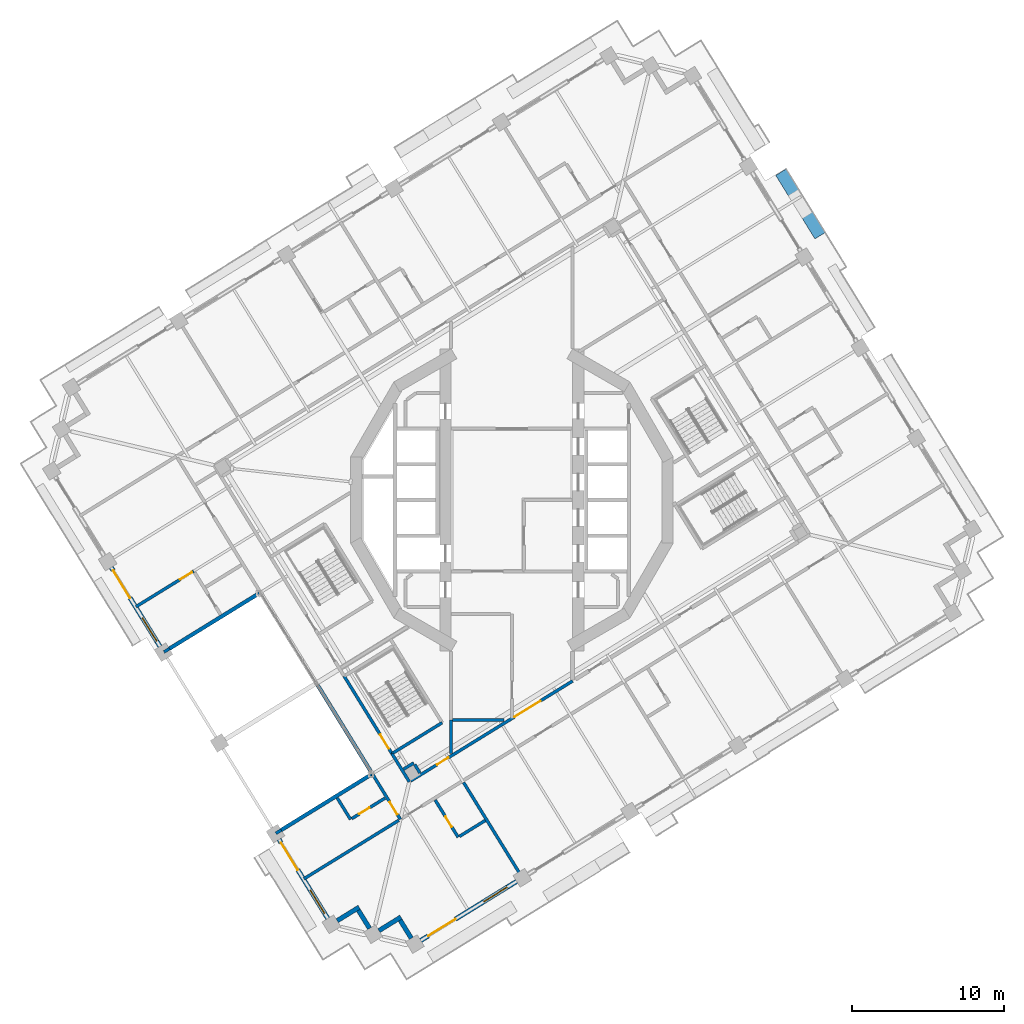
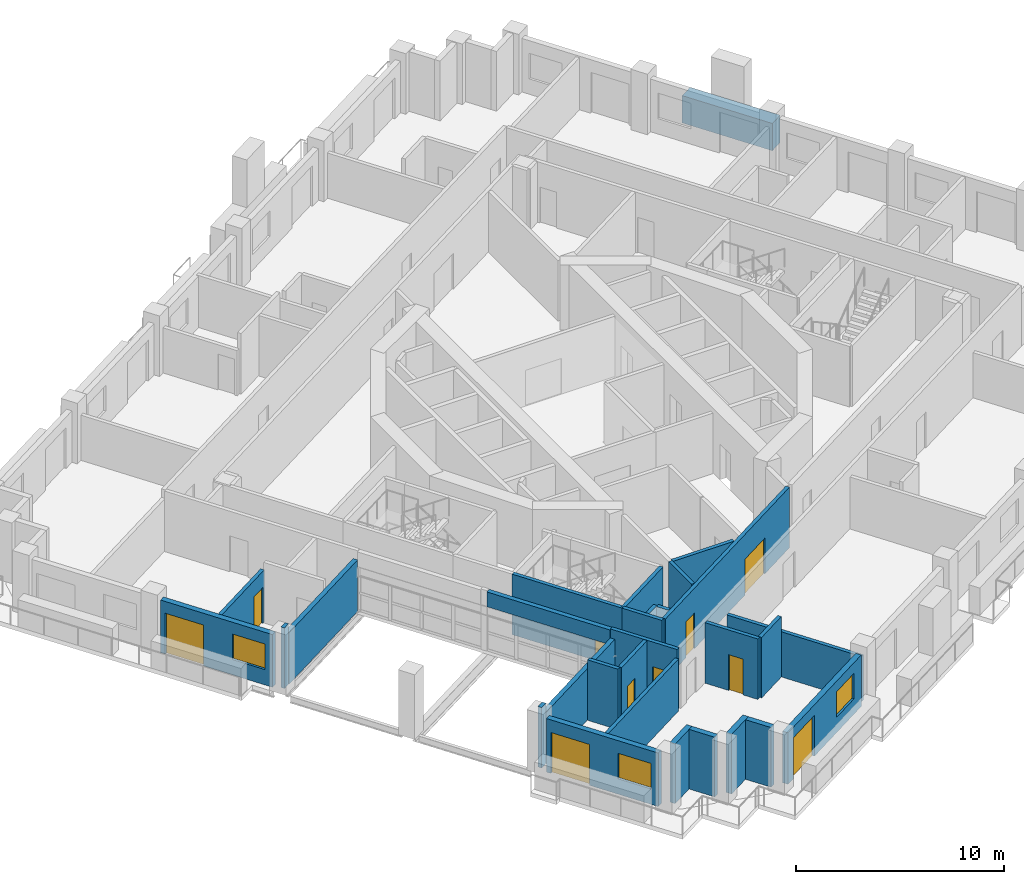
# One storey, part 7 of 22: 28 walls, 10 doors, 3 windows, 1 plate, 13 openings.
"""IFC4 building model written with IfcOpenShell, lengths in metres."""

import ifcopenshell
import ifcopenshell.guid

model = None  # the IFC model being written
_history = None  # IfcOwnerHistory: only IFC2X3 demands one
_inside = {}  # id of a spatial element -> (the spatial element, [elements in it])
_under = {}  # id of a project, library or spatial element -> (it, [spatial elements below it])
_declared = {}  # id of a project -> (the project, [libraries it declares])
_typed = {}  # id of a type object -> (the type object, [elements of that type])
_made_of = {}  # id of a material, layer set ... -> (it, [elements and type objects made of it])


def new_model(schema):
    """Start an empty IFC model of exactly this schema.

    Asked for "IFC4X3", IfcOpenShell would pick the latest addendum, in which some entities
    have other attributes; the version numbers below select the first issue.
    IFC2X3 requires an IfcOwnerHistory on every rooted entity: one is made here for all.
    """
    global model, _history
    if schema == "IFC4X3":
        model = ifcopenshell.file(schema_version=(4, 3, 0, 0))
    else:
        model = ifcopenshell.file(schema=schema)
    _inside.clear()
    _under.clear()
    _declared.clear()
    _typed.clear()
    _made_of.clear()
    _history = None
    if model.schema == "IFC2X3":
        org = make("IfcOrganization", Name="unknown")
        user = make(
            "IfcPersonAndOrganization",
            ThePerson=make("IfcPerson", FamilyName="unknown"),
            TheOrganization=org,
        )
        app = make(
            "IfcApplication",
            ApplicationDeveloper=org,
            Version="unknown",
            ApplicationFullName="unknown",
            ApplicationIdentifier="unknown",
        )
        _history = make(
            "IfcOwnerHistory",
            OwningUser=user,
            OwningApplication=app,
            ChangeAction="ADDED",
            CreationDate=0,
        )
    return model


def make(cls, **values):
    """One entity of the class cls with the attributes given. An attribute that is None is left unset."""
    return model.create_entity(
        cls, **{name: value for name, value in values.items() if value is not None}
    )


def rooted(cls, **values):
    """An entity with a GlobalId (a new one), such as an element, a storey or a relation."""
    return make(cls, GlobalId=ifcopenshell.guid.new(), OwnerHistory=_history, **values)


def si_unit(unit_type, name, prefix=None):
    """IfcSIUnit, for example si_unit("LENGTHUNIT", "METRE", prefix="MILLI")."""
    return make("IfcSIUnit", UnitType=unit_type, Prefix=prefix, Name=name)


def assignment(units):
    """IfcUnitAssignment: the units of a project."""
    return None if units is None else make("IfcUnitAssignment", Units=units)


def point(xyz):
    """IfcCartesianPoint."""
    return None if xyz is None else make("IfcCartesianPoint", Coordinates=xyz)


def direction(xyz):
    """IfcDirection."""
    return None if xyz is None else make("IfcDirection", DirectionRatios=xyz)


def frame(location, z_axis=None, x_axis=None):
    """IfcAxis2Placement3D, a coordinate frame: its origin and axes. An axis left out is left unset."""
    return make(
        "IfcAxis2Placement3D",
        Location=point(location),
        Axis=direction(z_axis),
        RefDirection=direction(x_axis),
    )


def frame_2d(location, x_axis=None):
    """IfcAxis2Placement2D, a coordinate frame in the plane: its origin and x axis."""
    return make(
        "IfcAxis2Placement2D", Location=point(location), RefDirection=direction(x_axis)
    )


def origin():
    """The frame at (0, 0, 0) with its axes left unset."""
    return frame((0.0, 0.0, 0.0))


def origin_2d():
    """The frame at (0, 0) in the plane with its x axis left unset."""
    return frame_2d((0.0, 0.0))


def place(relative_to, where):
    """IfcLocalPlacement: puts the frame where relative to a parent placement (None: the world)."""
    return make(
        "IfcLocalPlacement", PlacementRelTo=relative_to, RelativePlacement=where
    )


def context(
    kind, dimensions, precision=None, world=None, true_north=None, identifier=None
):
    """IfcGeometricRepresentationContext, for example the 3D "Model" context."""
    return make(
        "IfcGeometricRepresentationContext",
        ContextIdentifier=identifier,
        ContextType=kind,
        CoordinateSpaceDimension=dimensions,
        Precision=precision,
        WorldCoordinateSystem=world,
        TrueNorth=true_north,
    )


def subcontext(parent, identifier, kind, view, scale=None):
    """IfcGeometricRepresentationSubContext, for example "Body" below "Model"."""
    return make(
        "IfcGeometricRepresentationSubContext",
        ContextIdentifier=identifier,
        ContextType=kind,
        ParentContext=parent,
        TargetScale=scale,
        TargetView=view,
    )


def project(units=None, contexts=None):
    """IfcProject with its units and contexts."""
    return rooted(
        "IfcProject",
        Name="project",
        RepresentationContexts=contexts,
        UnitsInContext=assignment(units),
    )


def spatial(cls, under=None, at=None, **own):
    """A site, building, storey or space (cls), placed at a placement, below another one or the project."""
    s = rooted(cls, ObjectPlacement=at, **own)
    if under is not None:
        _under.setdefault(under.id(), (under, []))[1].append(s)
    return s


def profile(cls, at=None, kind="AREA", **sizes):
    """A parametric profile (cls). Its sizes go by their IFC names, for example OverallWidth=200.0."""
    return make(cls, ProfileType=kind, Position=at, **sizes)


def rectangle(**sizes):
    """IfcRectangleProfileDef."""
    return profile("IfcRectangleProfileDef", **sizes)


def extrude(swept, where, along, depth):
    """IfcExtrudedAreaSolid: the profile swept, set in the frame where, extruded along a direction by depth."""
    return make(
        "IfcExtrudedAreaSolid",
        SweptArea=swept,
        Position=where,
        ExtrudedDirection=direction(along),
        Depth=depth,
    )


def shape(context_of_items, identifier, shape_type, items):
    """IfcShapeRepresentation: the items that make up one representation, for example the "Body"."""
    return make(
        "IfcShapeRepresentation",
        ContextOfItems=context_of_items,
        RepresentationIdentifier=identifier,
        RepresentationType=shape_type,
        Items=items,
    )


def material(Name=None, Category=None):
    """IfcMaterial."""
    return make("IfcMaterial", Name=Name, Category=Category)


def layer(
    of_material, thickness, ventilated=None, Name=None, Category=None, Priority=None
):
    """IfcMaterialLayer: one layer of a wall or slab, of a material (None: an air gap)."""
    return make(
        "IfcMaterialLayer",
        Material=of_material,
        LayerThickness=thickness,
        IsVentilated=ventilated,
        Name=Name,
        Category=Category,
        Priority=Priority,
    )


def layer_set(layers, Name=None):
    """IfcMaterialLayerSet."""
    return make("IfcMaterialLayerSet", MaterialLayers=layers, LayerSetName=Name)


def made_of(thing, what):
    """Note that an element or type object is made of a material, layer set ...; save() writes the relation."""
    if what is not None:
        _made_of.setdefault(what.id(), (what, []))[1].append(thing)
    return thing


def type_object(cls, material=None, **own):
    """A type object (cls), such as IfcWallType, which elements share."""
    return made_of(rooted(cls, **own), material)


def element(
    cls,
    number,
    at=None,
    inside=None,
    cuts=None,
    type_object=None,
    material=None,
    context=None,
    identifier="Body",
    shape_type=None,
    held_by="IfcProductDefinitionShape",
    body=None,
    shapes=None,
    **own,
):
    """One element of the class cls, such as IfcWall. Its Tag is "e" and its number.

    at: its placement. inside: the storey or other place that contains it. cuts: it is an
    opening in that element (IfcRelVoidsElement). A single representation is given by context,
    identifier, shape_type and body (its items); several are given by shapes. held_by: the class
    of the entity that holds the representations. save() writes the other relations.
    """
    e = rooted(cls, Tag="e%d" % number, ObjectPlacement=at, **own)
    if body is not None:
        shapes = [shape(context, identifier, shape_type, body)]
    if shapes is not None:
        e.Representation = make(held_by, Representations=shapes)
    if inside is not None:
        _inside.setdefault(inside.id(), (inside, []))[1].append(e)
    if cuts is not None:
        rooted(
            "IfcRelVoidsElement", RelatingBuildingElement=cuts, RelatedOpeningElement=e
        )
    if type_object is not None:
        _typed.setdefault(type_object.id(), (type_object, []))[1].append(e)
    return made_of(e, material)


def fill(opening, filler):
    """IfcRelFillsElement: the door or window that sits in an opening."""
    return rooted(
        "IfcRelFillsElement",
        RelatingOpeningElement=opening,
        RelatedBuildingElement=filler,
    )


def aggregate(whole, parts):
    """IfcRelAggregates: a whole, such as a stair, and the parts it consists of."""
    return rooted("IfcRelAggregates", RelatingObject=whole, RelatedObjects=parts)


def save(model, path):
    """Write the relations noted so far, then the file.

    IfcRelAggregates (storeys below a building ...), IfcRelContainedInSpatialStructure (elements
    in a storey), IfcRelDefinesByType, IfcRelAssociatesMaterial and IfcRelDeclares: one each for
    every whole, place, type object, material and project.
    """
    for whole, parts in _under.values():
        aggregate(whole, parts)
    for where, things in _inside.values():
        rooted(
            "IfcRelContainedInSpatialStructure",
            RelatedElements=things,
            RelatingStructure=where,
        )
    for kind, things in _typed.values():
        rooted("IfcRelDefinesByType", RelatedObjects=things, RelatingType=kind)
    for what, things in _made_of.values():
        rooted("IfcRelAssociatesMaterial", RelatedObjects=things, RelatingMaterial=what)
    for by, libraries in _declared.values():
        rooted("IfcRelDeclares", RelatingContext=by, RelatedDefinitions=libraries)
    model.write(path)


model = new_model("IFC4")

# Units and contexts
model_context = context("Model", 3, precision=1e-05, world=origin(), true_north=direction((0.0, 1.0)))
body_context = subcontext(model_context, "Body", "Model", "MODEL_VIEW")
ifc_project = project(units=[si_unit("LENGTHUNIT", "METRE"), si_unit("AREAUNIT", "SQUARE_METRE"), si_unit("VOLUMEUNIT", "CUBIC_METRE"), si_unit("PLANEANGLEUNIT", "RADIAN"), si_unit("MASSUNIT", "GRAM", prefix="KILO")], contexts=[model_context])

# Site, building, storey
site_placement = place(None, origin())
site = spatial("IfcSite", under=ifc_project, at=site_placement, CompositionType="ELEMENT")
building_placement = place(site_placement, origin())
building = spatial("IfcBuilding", under=site, at=building_placement, Name="Cantera Rosa Tower", CompositionType="ELEMENT")
storey_placement = place(building_placement, frame((0.0, 0.0, 162.800048828125)))
storey = spatial("IfcBuildingStorey", under=building, at=storey_placement, Name="L35", CompositionType="ELEMENT", Elevation=162.800048828125)

# Plate
ifc_material_1 = material(Name="Cantera stone planter with soil", Category="masonry")
plate_type = type_object("IfcPlateType", Name="PLANTER 800", PredefinedType="USERDEFINED", material=ifc_material_1)
plate_placement = place(storey_placement, frame((19.012451171875, 19.505126953125, 0.0), z_axis=(0.0, 0.0, 1.0), x_axis=(-0.52497658034, 0.851116672434, 0.0)))
element("IfcPlate", 1, at=plate_placement, inside=storey, type_object=plate_type, Name="PLANTER L35-04", ObjectType="PLANTER", PredefinedType="USERDEFINED", context=body_context, shape_type="SweptSolid", body=[
    extrude(rectangle(XDim=4.919921875, YDim=0.800048828125, at=origin_2d()), origin(), (0.0, 0.0, 1.0), 1.60009765625),
])

# Wall, opening, door
ifc_material_2 = material(Name="Gypsum board partition")
ifc_layer_1 = layer(ifc_material_2, 0.199951171875)
ifc_layer_set_1 = layer_set([ifc_layer_1], Name="CORRIDOR WALL 200 H3550")
wall_type_1 = type_object("IfcWallType", Name="CORRIDOR WALL 200 H3550", PredefinedType="PARTITIONING", material=ifc_layer_set_1)
wall_1_placement = place(storey_placement, frame((-9.261962890625, -17.93798828125, 0.0), z_axis=(0.0, 0.0, 1.0), x_axis=(0.52498656073, -0.851110516356, 0.0)))
wall_1 = element("IfcWall", 2, at=wall_1_placement, inside=storey, type_object=wall_type_1, Name="CORRIDOR WALL L35-005", PredefinedType="PARTITIONING", context=body_context, shape_type="SweptSolid", body=[
    extrude(rectangle(XDim=3.64501953125, YDim=0.199951171875, at=frame_2d((1.822509765625, 0.0))), origin(), (0.0, 0.0, 1.0), 3.550048828125),
])
opening_1_placement = place(wall_1_placement, frame((2.31005859375, 0.0, 0.0)))
opening_1 = element("IfcOpeningElement", 3, at=opening_1_placement, cuts=wall_1, Name="Opening L35-039", PredefinedType="OPENING", context=body_context, shape_type="SweptSolid", body=[
    extrude(rectangle(XDim=0.949951171875, YDim=2.10009765625, at=frame_2d((0.47509765625, 1.050048828125))), frame((0.0, 0.10986328125, 0.0), z_axis=(0.0, -1.0, 0.0), x_axis=(1.0, 0.0, 0.0)), (0.0, 0.0, 1.0), 0.219970703125),
])
ifc_material_3 = material(Name="Timber door leaf", Category="wood")
door_type_1 = type_object("IfcDoorType", Name="ROOM DOOR 950x2100", OperationType="NOTDEFINED", PredefinedType="DOOR", material=ifc_material_3)
door_1_placement = place(opening_1_placement, origin())
door_1 = element("IfcDoor", 4, at=door_1_placement, inside=storey, type_object=door_type_1, Name="DOOR L35-039", OperationType="NOTDEFINED", OverallHeight=2.10009765625, OverallWidth=0.949951171875, PredefinedType="DOOR", context=body_context, shape_type="SweptSolid", body=[
    extrude(rectangle(XDim=0.949951171875, YDim=2.10009765625, at=frame_2d((0.47509765625, 1.050048828125))), frame((0.0, 0.02490234375, 0.0), z_axis=(0.0, -1.0, 0.0), x_axis=(1.0, 0.0, 0.0)), (0.0, 0.0, 1.0), 0.050048828125),
])
fill(opening_1, door_1)

# Wall
wall_2_placement = place(storey_placement, frame((-7.9033203125, -16.7119140625, 0.0), z_axis=(0.0, 0.0, 1.0), x_axis=(0.525036414636, -0.851079763187, 0.0)))
element("IfcWall", 5, at=wall_2_placement, inside=storey, type_object=wall_type_1, Name="CORRIDOR WALL L35-031", PredefinedType="PARTITIONING", context=body_context, shape_type="SweptSolid", body=[
    extrude(rectangle(XDim=2.17529296875, YDim=0.199951171875, at=frame_2d((1.087646484375, 0.0))), origin(), (0.0, 0.0, 1.0), 3.550048828125),
])

# Wall, openings, doors
wall_3_placement = place(storey_placement, frame((-6.67626953125, -18.5107421875, 0.0), z_axis=(0.0, 0.0, 1.0), x_axis=(0.851117243115, 0.524975655123, 0.0)))
wall_3 = element("IfcWall", 6, at=wall_3_placement, inside=storey, type_object=wall_type_1, Name="CORRIDOR WALL L35-047", PredefinedType="PARTITIONING", context=body_context, shape_type="SweptSolid", body=[
    extrude(rectangle(XDim=12.5439453125, YDim=0.199951171875, at=frame_2d((6.27197265625, 0.0))), origin(), (0.0, 0.0, 1.0), 3.550048828125),
])
opening_2_placement = place(wall_3_placement, frame((2.03515625, 0.0, 0.0)))
opening_2 = element("IfcOpeningElement", 7, at=opening_2_placement, cuts=wall_3, Name="Opening L35-009", PredefinedType="OPENING", context=body_context, shape_type="SweptSolid", body=[
    extrude(rectangle(XDim=0.89990234375, YDim=2.10009765625, at=frame_2d((0.449951171875, 1.050048828125))), frame((0.0, 0.10986328125, 0.0), z_axis=(0.0, -1.0, 0.0), x_axis=(1.0, 0.0, 0.0)), (0.0, 0.0, 1.0), 0.219970703125),
])
opening_3_placement = place(wall_3_placement, frame((8.044189453125, 0.0, 0.0)))
opening_3 = element("IfcOpeningElement", 8, at=opening_3_placement, cuts=wall_3, Name="Opening L35-013", PredefinedType="OPENING", context=body_context, shape_type="SweptSolid", body=[
    extrude(rectangle(XDim=2.0, YDim=2.10009765625, at=frame_2d((1.0, 1.050048828125))), frame((0.0, 0.10986328125, 0.0), z_axis=(0.0, -1.0, 0.0), x_axis=(1.0, 0.0, 0.0)), (0.0, 0.0, 1.0), 0.219970703125),
])
ifc_material_4 = material(Name="Steel S355J2 (EN 10025-2)", Category="steel")
door_type_2 = type_object("IfcDoorType", Name="LOBBY SCREEN DOOR 2000x2100", OperationType="NOTDEFINED", PredefinedType="DOOR", material=ifc_material_4)
door_2_placement = place(opening_3_placement, origin())
door_2 = element("IfcDoor", 9, at=door_2_placement, inside=storey, type_object=door_type_2, Name="DOOR L35-013", OperationType="NOTDEFINED", OverallHeight=2.10009765625, OverallWidth=2.0, PredefinedType="DOOR", context=body_context, shape_type="SweptSolid", body=[
    extrude(rectangle(XDim=2.0, YDim=2.10009765625, at=frame_2d((1.0, 1.050048828125))), frame((0.0, 0.02490234375, 0.0), z_axis=(0.0, -1.0, 0.0), x_axis=(1.0, 0.0, 0.0)), (0.0, 0.0, 1.0), 0.050048828125),
])
fill(opening_3, door_2)
ifc_material_5 = material(Name="Timber door leaf", Category="wood")
door_type_3 = type_object("IfcDoorType", Name="SERVICE DOOR 900x2100", OperationType="NOTDEFINED", PredefinedType="DOOR", material=ifc_material_5)
door_3_placement = place(opening_2_placement, origin())
door_3 = element("IfcDoor", 10, at=door_3_placement, inside=storey, type_object=door_type_3, Name="DOOR L35-009", OperationType="NOTDEFINED", OverallHeight=2.10009765625, OverallWidth=0.89990234375, PredefinedType="DOOR", context=body_context, shape_type="SweptSolid", body=[
    extrude(rectangle(XDim=0.89990234375, YDim=2.10009765625, at=frame_2d((0.449951171875, 1.050048828125))), frame((0.0, 0.02490234375, 0.0), z_axis=(0.0, -1.0, 0.0), x_axis=(1.0, 0.0, 0.0)), (0.0, 0.0, 1.0), 0.050048828125),
])
fill(opening_2, door_3)

# Walls
wall_4_placement = place(storey_placement, frame((-4.0, -14.5, 0.0), z_axis=(0.0, 0.0, 1.0), x_axis=(0.0, -1.0, 0.0)))
element("IfcWall", 11, at=wall_4_placement, inside=storey, type_object=wall_type_1, Name="CORRIDOR WALL L35-056", PredefinedType="PARTITIONING", context=body_context, shape_type="SweptSolid", body=[
    extrude(rectangle(XDim=2.2001953125, YDim=0.199951171875, at=frame_2d((1.10009765625, 0.0))), origin(), (0.0, 0.0, 1.0), 3.550048828125),
])
wall_5_placement = place(storey_placement, frame((-3.89990234375, -14.5, 0.0), z_axis=(0.0, 0.0, 1.0), x_axis=(1.0, 0.0, 0.0)))
element("IfcWall", 12, at=wall_5_placement, inside=storey, type_object=wall_type_1, Name="CORRIDOR WALL L35-057", PredefinedType="PARTITIONING", context=body_context, shape_type="SweptSolid", body=[
    extrude(rectangle(XDim=3.38623046875, YDim=0.199951171875, at=frame_2d((1.693115234375, 0.0))), origin(), (0.0, 0.0, 1.0), 3.550048828125),
])
ifc_material_6 = material(Name="Hollow clay masonry with cantera stone cladding", Category="masonry")
ifc_layer_2 = layer(ifc_material_6, 0.300048828125)
ifc_layer_set_2 = layer_set([ifc_layer_2], Name="EW-LOGGIA 300")
wall_type_2 = type_object("IfcWallType", Name="EW-LOGGIA 300", PredefinedType="SOLIDWALL", material=ifc_layer_set_2)
wall_6_placement = place(storey_placement, frame((-11.51123046875, -27.72021484375, 0.0), z_axis=(0.0, 0.0, 1.0), x_axis=(0.851130227454, 0.524954603669, 0.0)))
element("IfcWall", 13, at=wall_6_placement, inside=storey, type_object=wall_type_2, Name="EN-L35-W20a", PredefinedType="SOLIDWALL", context=body_context, shape_type="SweptSolid", body=[
    extrude(rectangle(XDim=1.699951171875, YDim=0.300048828125, at=frame_2d((0.85009765625, 0.0))), origin(), (0.0, 0.0, 1.0), 3.5),
])
wall_7_placement = place(storey_placement, frame((-10.11328125, -27.0341796875, 0.0), z_axis=(0.0, 0.0, 1.0), x_axis=(0.524895019961, -0.85116697423, 0.0)))
element("IfcWall", 14, at=wall_7_placement, inside=storey, type_object=wall_type_2, Name="EN-L35-W20b", PredefinedType="SOLIDWALL", context=body_context, shape_type="SweptSolid", body=[
    extrude(rectangle(XDim=1.39990234375, YDim=0.300048828125, at=frame_2d((0.699951171875, 0.0))), origin(), (0.0, 0.0, 1.0), 3.5),
])
wall_8_placement = place(storey_placement, frame((-8.75927734375, -28.37255859375, 0.0), z_axis=(0.0, 0.0, 1.0), x_axis=(0.851105638601, 0.524994468487, 0.0)))
element("IfcWall", 15, at=wall_8_placement, inside=storey, type_object=wall_type_2, Name="EN-L35-W21a", PredefinedType="SOLIDWALL", context=body_context, shape_type="SweptSolid", body=[
    extrude(rectangle(XDim=1.7001953125, YDim=0.300048828125, at=frame_2d((0.85009765625, 0.0))), origin(), (0.0, 0.0, 1.0), 3.5),
])
wall_9_placement = place(storey_placement, frame((-7.361083984375, -27.6865234375, 0.0), z_axis=(0.0, 0.0, 1.0), x_axis=(0.524895019961, -0.85116697423, 0.0)))
element("IfcWall", 16, at=wall_9_placement, inside=storey, type_object=wall_type_2, Name="EN-L35-W21b", PredefinedType="SOLIDWALL", context=body_context, shape_type="SweptSolid", body=[
    extrude(rectangle(XDim=1.39990234375, YDim=0.300048828125, at=frame_2d((0.699951171875, 0.0))), origin(), (0.0, 0.0, 1.0), 3.5),
])

# Wall, openings, window, door
ifc_material_7 = material(Name="Hollow clay masonry with cantera stone cladding", Category="masonry")
ifc_layer_3 = layer(ifc_material_7, 0.300048828125)
ifc_layer_set_3 = layer_set([ifc_layer_3], Name="EW-LOGGIA 300 H3020")
wall_type_3 = type_object("IfcWallType", Name="EW-LOGGIA 300 H3020", PredefinedType="SOLIDWALL", material=ifc_layer_set_3)
wall_10_placement = place(storey_placement, frame((-6.007080078125, -29.02490234375, 0.0), z_axis=(0.0, 0.0, 1.0), x_axis=(0.851111085575, 0.524985637909, 0.0)))
wall_10 = element("IfcWall", 17, at=wall_10_placement, inside=storey, type_object=wall_type_3, Name="EN-L35-W22", PredefinedType="SOLIDWALL", context=body_context, shape_type="SweptSolid", body=[
    extrude(rectangle(XDim=7.420166015625, YDim=0.300048828125, at=frame_2d((3.7099609375, 0.0))), origin(), (0.0, 0.0, 1.0), 3.02001953125),
])
opening_4_placement = place(wall_10_placement, frame((0.580078125, 0.0, 0.0)))
opening_4 = element("IfcOpeningElement", 18, at=opening_4_placement, cuts=wall_10, Name="Opening L35-TD27", PredefinedType="OPENING", context=body_context, shape_type="SweptSolid", body=[
    extrude(rectangle(XDim=2.10009765625, YDim=2.39990234375, at=frame_2d((1.050048828125, 1.199951171875))), frame((0.0, 0.159912109375, 0.0), z_axis=(0.0, -1.0, 0.0), x_axis=(1.0, 0.0, 0.0)), (0.0, 0.0, 1.0), 0.320068359375),
])
opening_5_placement = place(wall_10_placement, frame((4.889892578125, 0.0, 0.89990234375)))
opening_5 = element("IfcOpeningElement", 19, at=opening_5_placement, cuts=wall_10, Name="Opening L35-W28", PredefinedType="OPENING", context=body_context, shape_type="SweptSolid", body=[
    extrude(rectangle(XDim=1.800048828125, YDim=1.5, at=frame_2d((0.89990234375, 0.75))), frame((0.0, 0.159912109375, 0.0), z_axis=(0.0, -1.0, 0.0), x_axis=(1.0, 0.0, 0.0)), (0.0, 0.0, 1.0), 0.320068359375),
])
ifc_material_8 = material(Name="Aluminium frame with clear glass", Category="aluminium")
window_type = type_object("IfcWindowType", Name="Hotel room window 1800x1500", PartitioningType="DOUBLE_PANEL_VERTICAL", PredefinedType="WINDOW", material=ifc_material_8)
window_1_placement = place(opening_5_placement, origin())
window_1 = element("IfcWindow", 20, at=window_1_placement, inside=storey, type_object=window_type, Name="WINDOW L35-W28", OverallHeight=1.5, OverallWidth=1.800048828125, PartitioningType="SINGLE_PANEL", PredefinedType="WINDOW", context=body_context, shape_type="SweptSolid", body=[
    extrude(rectangle(XDim=1.800048828125, YDim=1.5, at=frame_2d((0.89990234375, 0.75))), frame((0.0, 0.030029296875, 0.0), z_axis=(0.0, -1.0, 0.0), x_axis=(1.0, 0.0, 0.0)), (0.0, 0.0, 1.0), 0.06005859375),
])
fill(opening_5, window_1)
ifc_material_9 = material(Name="Aluminium frame with clear glass", Category="aluminium")
door_type_4 = type_object("IfcDoorType", Name="TD-H 2100x2400", OperationType="NOTDEFINED", PredefinedType="DOOR", material=ifc_material_9)
door_4_placement = place(opening_4_placement, origin())
door_4 = element("IfcDoor", 21, at=door_4_placement, inside=storey, type_object=door_type_4, Name="LOGGIA DOOR L35-TD27", OperationType="SLIDING_TO_LEFT", OverallHeight=2.39990234375, OverallWidth=2.10009765625, PredefinedType="DOOR", context=body_context, shape_type="SweptSolid", body=[
    extrude(rectangle(XDim=2.10009765625, YDim=2.39990234375, at=frame_2d((1.050048828125, 1.199951171875))), frame((0.0, 0.02490234375, 0.0), z_axis=(0.0, -1.0, 0.0), x_axis=(1.0, 0.0, 0.0)), (0.0, 0.0, 1.0), 0.050048828125),
])
fill(opening_4, door_4)

ifc_material_10 = material(Name="Hollow clay masonry with cantera stone cladding", Category="masonry")
ifc_layer_4 = layer(ifc_material_10, 0.300048828125)
ifc_layer_set_4 = layer_set([ifc_layer_4], Name="EW-LOGGIA 300 H3090")
wall_type_4 = type_object("IfcWallType", Name="EW-LOGGIA 300 H3090", PredefinedType="SOLIDWALL", material=ifc_layer_set_4)
wall_11_placement = place(storey_placement, frame((-26.3994140625, -4.440185546875, 0.0), z_axis=(0.0, 0.0, 1.0), x_axis=(0.524987447654, -0.851109969279, 0.0)))
wall_11 = element("IfcWall", 22, at=wall_11_placement, inside=storey, type_object=wall_type_4, Name="EN-L35-W16", PredefinedType="SOLIDWALL", context=body_context, shape_type="SweptSolid", body=[
    extrude(rectangle(XDim=6.119873046875, YDim=0.300048828125, at=frame_2d((3.06005859375, 0.0))), origin(), (0.0, 0.0, 1.0), 3.08984375),
])
opening_6_placement = place(wall_11_placement, frame((0.2548828125, 0.0, 0.0)))
opening_6 = element("IfcOpeningElement", 23, at=opening_6_placement, cuts=wall_11, Name="Opening L35-TD23", PredefinedType="OPENING", context=body_context, shape_type="SweptSolid", body=[
    extrude(rectangle(XDim=2.10009765625, YDim=2.39990234375, at=frame_2d((1.050048828125, 1.199951171875))), frame((0.0, 0.159912109375, 0.0), z_axis=(0.0, -1.0, 0.0), x_axis=(1.0, 0.0, 0.0)), (0.0, 0.0, 1.0), 0.320068359375),
])
opening_7_placement = place(wall_11_placement, frame((3.9150390625, 0.0, 0.89990234375)))
opening_7 = element("IfcOpeningElement", 24, at=opening_7_placement, cuts=wall_11, Name="Opening L35-W24", PredefinedType="OPENING", context=body_context, shape_type="SweptSolid", body=[
    extrude(rectangle(XDim=1.800048828125, YDim=1.5, at=frame_2d((0.89990234375, 0.75))), frame((0.0, 0.159912109375, 0.0), z_axis=(0.0, -1.0, 0.0), x_axis=(1.0, 0.0, 0.0)), (0.0, 0.0, 1.0), 0.320068359375),
])
window_2_placement = place(opening_7_placement, origin())
window_2 = element("IfcWindow", 25, at=window_2_placement, inside=storey, type_object=window_type, Name="WINDOW L35-W24", OverallHeight=1.5, OverallWidth=1.800048828125, PartitioningType="SINGLE_PANEL", PredefinedType="WINDOW", context=body_context, shape_type="SweptSolid", body=[
    extrude(rectangle(XDim=1.800048828125, YDim=1.5, at=frame_2d((0.89990234375, 0.75))), frame((0.0, 0.030029296875, 0.0), z_axis=(0.0, -1.0, 0.0), x_axis=(1.0, 0.0, 0.0)), (0.0, 0.0, 1.0), 0.06005859375),
])
fill(opening_7, window_2)
door_5_placement = place(opening_6_placement, origin())
door_5 = element("IfcDoor", 26, at=door_5_placement, inside=storey, type_object=door_type_4, Name="LOGGIA DOOR L35-TD23", OperationType="SLIDING_TO_LEFT", OverallHeight=2.39990234375, OverallWidth=2.10009765625, PredefinedType="DOOR", context=body_context, shape_type="SweptSolid", body=[
    extrude(rectangle(XDim=2.10009765625, YDim=2.39990234375, at=frame_2d((1.050048828125, 1.199951171875))), frame((0.0, 0.02490234375, 0.0), z_axis=(0.0, -1.0, 0.0), x_axis=(1.0, 0.0, 0.0)), (0.0, 0.0, 1.0), 0.050048828125),
])
fill(opening_6, door_5)

ifc_material_11 = material(Name="Hollow clay masonry with cantera stone cladding", Category="masonry")
ifc_layer_5 = layer(ifc_material_11, 0.300048828125)
ifc_layer_set_5 = layer_set([ifc_layer_5], Name="EW-LOGGIA 300 H3140")
wall_type_5 = type_object("IfcWallType", Name="EW-LOGGIA 300 H3140", PredefinedType="SOLIDWALL", material=ifc_layer_set_5)
wall_12_placement = place(storey_placement, frame((-15.343505859375, -22.36474609375, 0.0), z_axis=(0.0, 0.0, 1.0), x_axis=(0.524987447654, -0.851109969279, 0.0)))
wall_12 = element("IfcWall", 27, at=wall_12_placement, inside=storey, type_object=wall_type_5, Name="EN-L35-W19", PredefinedType="SOLIDWALL", context=body_context, shape_type="SweptSolid", body=[
    extrude(rectangle(XDim=6.119873046875, YDim=0.300048828125, at=frame_2d((3.06005859375, 0.0))), origin(), (0.0, 0.0, 1.0), 3.139892578125),
])
opening_8_placement = place(wall_12_placement, frame((0.2548828125, 0.0, 0.0)))
opening_8 = element("IfcOpeningElement", 28, at=opening_8_placement, cuts=wall_12, Name="Opening L35-TD25", PredefinedType="OPENING", context=body_context, shape_type="SweptSolid", body=[
    extrude(rectangle(XDim=2.10009765625, YDim=2.39990234375, at=frame_2d((1.050048828125, 1.199951171875))), frame((0.0, 0.159912109375, 0.0), z_axis=(0.0, -1.0, 0.0), x_axis=(1.0, 0.0, 0.0)), (0.0, 0.0, 1.0), 0.320068359375),
])
opening_9_placement = place(wall_12_placement, frame((3.9150390625, 0.0, 0.89990234375)))
opening_9 = element("IfcOpeningElement", 29, at=opening_9_placement, cuts=wall_12, Name="Opening L35-W26", PredefinedType="OPENING", context=body_context, shape_type="SweptSolid", body=[
    extrude(rectangle(XDim=1.800048828125, YDim=1.5, at=frame_2d((0.89990234375, 0.75))), frame((0.0, 0.159912109375, 0.0), z_axis=(0.0, -1.0, 0.0), x_axis=(1.0, 0.0, 0.0)), (0.0, 0.0, 1.0), 0.320068359375),
])
window_3_placement = place(opening_9_placement, origin())
window_3 = element("IfcWindow", 30, at=window_3_placement, inside=storey, type_object=window_type, Name="WINDOW L35-W26", OverallHeight=1.5, OverallWidth=1.800048828125, PartitioningType="SINGLE_PANEL", PredefinedType="WINDOW", context=body_context, shape_type="SweptSolid", body=[
    extrude(rectangle(XDim=1.800048828125, YDim=1.5, at=frame_2d((0.89990234375, 0.75))), frame((0.0, 0.030029296875, 0.0), z_axis=(0.0, -1.0, 0.0), x_axis=(1.0, 0.0, 0.0)), (0.0, 0.0, 1.0), 0.06005859375),
])
fill(opening_9, window_3)
door_6_placement = place(opening_8_placement, origin())
door_6 = element("IfcDoor", 31, at=door_6_placement, inside=storey, type_object=door_type_4, Name="LOGGIA DOOR L35-TD25", OperationType="SLIDING_TO_LEFT", OverallHeight=2.39990234375, OverallWidth=2.10009765625, PredefinedType="DOOR", context=body_context, shape_type="SweptSolid", body=[
    extrude(rectangle(XDim=2.10009765625, YDim=2.39990234375, at=frame_2d((1.050048828125, 1.199951171875))), frame((0.0, 0.02490234375, 0.0), z_axis=(0.0, -1.0, 0.0), x_axis=(1.0, 0.0, 0.0)), (0.0, 0.0, 1.0), 0.050048828125),
])
fill(opening_8, door_6)

# Walls
ifc_material_12 = material(Name="Concrete C40/50", Category="concrete")
ifc_layer_6 = layer(ifc_material_12, 0.25)
ifc_layer_set_6 = layer_set([ifc_layer_6], Name="EW-POCKET CHEEK 250 H3020")
wall_type_6 = type_object("IfcWallType", Name="EW-POCKET CHEEK 250 H3020", PredefinedType="SOLIDWALL", material=ifc_layer_set_6)
for number, where, z_axis, x_axis, name in (
    (32, (-22.5673828125, -9.795654296875, 0.0), (0.0, 0.0, 1.0), (0.851127184208, 0.524959537777, 0.0), "POCKET CHEEK A L35"),
    (33, (-15.19677734375, -21.745361328125, 0.0), (0.0, 0.0, 1.0), (0.851127184208, 0.524959537777, 0.0), "POCKET CHEEK B L35"),
):
    element("IfcWall", number, at=place(storey_placement, frame(where, z_axis=z_axis, x_axis=x_axis)), inside=storey, type_object=wall_type_6, Name=name, PredefinedType="SOLIDWALL", context=body_context, shape_type="SweptSolid", body=[
        extrude(rectangle(XDim=6.949951171875, YDim=0.25, at=frame_2d((3.47509765625, 0.0))), origin(), (0.0, 0.0, 1.0), 3.02001953125),
    ])
ifc_material_13 = material(Name="Hollow clay masonry with cantera stone cladding", Category="masonry")
ifc_layer_7 = layer(ifc_material_13, 0.25)
ifc_layer_set_7 = layer_set([ifc_layer_7], Name="EW-POCKET REAR 250")
wall_type_7 = type_object("IfcWallType", Name="EW-POCKET REAR 250", PredefinedType="SOLIDWALL", material=ifc_layer_set_7)
wall_13_placement = place(storey_placement, frame((-12.79443359375, -12.210693359375, 2.634033203125), z_axis=(0.0, 0.0, 1.0), x_axis=(0.52495748213, -0.851128452089, 0.0)))
element("IfcWall", 34, at=wall_13_placement, inside=storey, type_object=wall_type_7, Name="POCKET SPANDREL L35-2", PredefinedType="SOLIDWALL", context=body_context, shape_type="SweptSolid", body=[
    extrude(rectangle(XDim=6.72900390625, YDim=0.25, at=frame_2d((3.364501953125, 0.0))), origin(), (0.0, 0.0, 1.0), 0.865966796875),
])

# Wall, opening, door
ifc_material_14 = material(Name="Gypsum board partition")
ifc_layer_8 = layer(ifc_material_14, 0.199951171875)
ifc_layer_set_8 = layer_set([ifc_layer_8], Name="PARTITION 200 H3050")
wall_type_8 = type_object("IfcWallType", Name="PARTITION 200 H3050", PredefinedType="PARTITIONING", material=ifc_layer_set_8)
wall_14_placement = place(storey_placement, frame((-24.767578125, -7.02880859375, 0.0), z_axis=(0.0, 0.0, 1.0), x_axis=(0.851125318938, 0.524962561963, 0.0)))
wall_14 = element("IfcWall", 35, at=wall_14_placement, inside=storey, type_object=wall_type_8, Name="PARTITION L35-001", PredefinedType="PARTITIONING", context=body_context, shape_type="SweptSolid", body=[
    extrude(rectangle(XDim=4.47021484375, YDim=0.199951171875, at=frame_2d((2.235107421875, 0.0))), origin(), (0.0, 0.0, 1.0), 3.050048828125),
])
opening_10_placement = place(wall_14_placement, frame((3.419921875, 0.0, 0.0)))
opening_10 = element("IfcOpeningElement", 36, at=opening_10_placement, cuts=wall_14, Name="Opening L35-037", PredefinedType="OPENING", context=body_context, shape_type="SweptSolid", body=[
    extrude(rectangle(XDim=0.89990234375, YDim=2.10009765625, at=frame_2d((0.449951171875, 1.050048828125))), frame((0.0, 0.10986328125, 0.0), z_axis=(0.0, -1.0, 0.0), x_axis=(1.0, 0.0, 0.0)), (0.0, 0.0, 1.0), 0.219970703125),
])
ifc_material_15 = material(Name="Timber door leaf", Category="wood")
door_type_5 = type_object("IfcDoorType", Name="ROOM DOOR 900x2100", OperationType="NOTDEFINED", PredefinedType="DOOR", material=ifc_material_15)
door_7_placement = place(opening_10_placement, origin())
door_7 = element("IfcDoor", 37, at=door_7_placement, inside=storey, type_object=door_type_5, Name="DOOR L35-037", OperationType="NOTDEFINED", OverallHeight=2.10009765625, OverallWidth=0.89990234375, PredefinedType="DOOR", context=body_context, shape_type="SweptSolid", body=[
    extrude(rectangle(XDim=0.89990234375, YDim=2.10009765625, at=frame_2d((0.449951171875, 1.050048828125))), frame((0.0, 0.02490234375, 0.0), z_axis=(0.0, -1.0, 0.0), x_axis=(1.0, 0.0, 0.0)), (0.0, 0.0, 1.0), 0.050048828125),
])
fill(opening_10, door_7)

# Walls
ifc_material_16 = material(Name="Gypsum board partition")
ifc_layer_9 = layer(ifc_material_16, 0.199951171875)
ifc_layer_set_9 = layer_set([ifc_layer_9], Name="PARTITION 200 H3550")
wall_type_9 = type_object("IfcWallType", Name="PARTITION 200 H3550", PredefinedType="PARTITIONING", material=ifc_layer_set_9)
for number, where, z_axis, x_axis, name in (
    (38, (-22.5673828125, -9.7958984375, 0.0), (0.0, 0.0, 1.0), (-0.851118918236, -0.524972939322, 0.0), "PARTITION L35-013"),
    (39, (-15.55419921875, -21.9658203125, 0.0), (0.0, 0.0, 1.0), (0.851118918236, 0.524972939322, 0.0), "PARTITION L35-015"),
):
    element("IfcWall", number, at=place(storey_placement, frame(where, z_axis=z_axis, x_axis=x_axis)), inside=storey, type_object=wall_type_9, Name=name, PredefinedType="PARTITIONING", context=body_context, shape_type="SweptSolid", body=[
        extrude(rectangle(XDim=0.419921875, YDim=0.199951171875, at=frame_2d((0.2099609375, 0.0))), origin(), (0.0, 0.0, 1.0), 3.550048828125),
    ])
wall_15_placement = place(storey_placement, frame((-10.634521484375, -21.04638671875, 0.0), z_axis=(0.0, 0.0, 1.0), x_axis=(-0.524915259782, 0.851154492468, 0.0)))
element("IfcWall", 40, at=wall_15_placement, inside=storey, type_object=wall_type_9, Name="PARTITION L35-024", PredefinedType="PARTITIONING", context=body_context, shape_type="SweptSolid", body=[
    extrude(rectangle(XDim=1.6650390625, YDim=0.199951171875, at=frame_2d((0.83251953125, 0.0))), origin(), (0.0, 0.0, 1.0), 3.550048828125),
])

# Wall, opening, door
wall_16_placement = place(storey_placement, frame((-8.353515625, -19.639404296875, 0.0), z_axis=(0.0, 0.0, 1.0), x_axis=(-0.851098989685, -0.525005247362, 0.0)))
wall_16 = element("IfcWall", 41, at=wall_16_placement, inside=storey, type_object=wall_type_9, Name="PARTITION L35-030", PredefinedType="PARTITIONING", context=body_context, shape_type="SweptSolid", body=[
    extrude(rectangle(XDim=2.580078125, YDim=0.199951171875, at=frame_2d((1.2900390625, 0.0))), origin(), (0.0, 0.0, 1.0), 3.550048828125),
])
opening_11_placement = place(wall_16_placement, frame((1.216064453125, 0.0, 0.0)))
opening_11 = element("IfcOpeningElement", 42, at=opening_11_placement, cuts=wall_16, Name="Opening L35-040", PredefinedType="OPENING", context=body_context, shape_type="SweptSolid", body=[
    extrude(rectangle(XDim=0.800048828125, YDim=2.10009765625, at=frame_2d((0.39990234375, 1.050048828125))), frame((0.0, 0.10986328125, 0.0), z_axis=(0.0, -1.0, 0.0), x_axis=(1.0, 0.0, 0.0)), (0.0, 0.0, 1.0), 0.219970703125),
])
ifc_material_17 = material(Name="Timber door leaf", Category="wood")
door_type_6 = type_object("IfcDoorType", Name="BATHROOM DOOR 800x2100", OperationType="NOTDEFINED", PredefinedType="DOOR", material=ifc_material_17)
door_8_placement = place(opening_11_placement, origin())
door_8 = element("IfcDoor", 43, at=door_8_placement, inside=storey, type_object=door_type_6, Name="DOOR L35-040", OperationType="NOTDEFINED", OverallHeight=2.10009765625, OverallWidth=0.800048828125, PredefinedType="DOOR", context=body_context, shape_type="SweptSolid", body=[
    extrude(rectangle(XDim=0.800048828125, YDim=2.10009765625, at=frame_2d((0.39990234375, 1.050048828125))), frame((0.0, 0.02490234375, 0.0), z_axis=(0.0, -1.0, 0.0), x_axis=(1.0, 0.0, 0.0)), (0.0, 0.0, 1.0), 0.050048828125),
])
fill(opening_11, door_8)

# Walls
wall_17_placement = place(storey_placement, frame((-6.4677734375, -17.32470703125, 0.0), z_axis=(0.0, 0.0, 1.0), x_axis=(-0.850991371659, -0.525179669601, 0.0)))
element("IfcWall", 44, at=wall_17_placement, inside=storey, type_object=wall_type_9, Name="PARTITION L35-048", PredefinedType="PARTITIONING", context=body_context, shape_type="SweptSolid", body=[
    extrude(rectangle(XDim=0.780029296875, YDim=0.199951171875, at=frame_2d((0.39013671875, 0.0))), origin(), (0.0, 0.0, 1.0), 3.550048828125),
])
wall_18_placement = place(storey_placement, frame((-6.058349609375, -17.98876953125, 0.0), z_axis=(0.0, 0.0, 1.0), x_axis=(-0.524902102766, 0.851162606387, 0.0)))
element("IfcWall", 45, at=wall_18_placement, inside=storey, type_object=wall_type_9, Name="PARTITION L35-050", PredefinedType="PARTITIONING", context=body_context, shape_type="SweptSolid", body=[
    extrude(rectangle(XDim=0.659912109375, YDim=0.199951171875, at=frame_2d((0.330078125, 0.0))), origin(), (0.0, 0.0, 1.0), 3.550048828125),
])

# Wall, opening, door
wall_19_placement = place(storey_placement, frame((-3.54345703125, -22.21826171875, 0.0), z_axis=(0.0, 0.0, 1.0), x_axis=(-0.524991059862, 0.851107741162, 0.0)))
wall_19 = element("IfcWall", 46, at=wall_19_placement, inside=storey, type_object=wall_type_9, Name="PARTITION L35-061", PredefinedType="PARTITIONING", context=body_context, shape_type="SweptSolid", body=[
    extrude(rectangle(XDim=2.8798828125, YDim=0.199951171875, at=frame_2d((1.43994140625, 0.0))), origin(), (0.0, 0.0, 1.0), 3.550048828125),
])
opening_12_placement = place(wall_19_placement, frame((0.800048828125, 0.0, 0.0)))
opening_12 = element("IfcOpeningElement", 47, at=opening_12_placement, cuts=wall_19, Name="Opening L35-045", PredefinedType="OPENING", context=body_context, shape_type="SweptSolid", body=[
    extrude(rectangle(XDim=0.800048828125, YDim=2.10009765625, at=frame_2d((0.39990234375, 1.050048828125))), frame((0.0, 0.10986328125, 0.0), z_axis=(0.0, -1.0, 0.0), x_axis=(1.0, 0.0, 0.0)), (0.0, 0.0, 1.0), 0.219970703125),
])
door_9_placement = place(opening_12_placement, origin())
door_9 = element("IfcDoor", 48, at=door_9_placement, inside=storey, type_object=door_type_6, Name="DOOR L35-045", OperationType="NOTDEFINED", OverallHeight=2.10009765625, OverallWidth=0.800048828125, PredefinedType="DOOR", context=body_context, shape_type="SweptSolid", body=[
    extrude(rectangle(XDim=0.800048828125, YDim=2.10009765625, at=frame_2d((0.39990234375, 1.050048828125))), frame((0.0, 0.02490234375, 0.0), z_axis=(0.0, -1.0, 0.0), x_axis=(1.0, 0.0, 0.0)), (0.0, 0.0, 1.0), 0.050048828125),
])
fill(opening_12, door_9)

# Walls
wall_20_placement = place(storey_placement, frame((-1.756103515625, -21.11572265625, 0.0), z_axis=(0.0, 0.0, 1.0), x_axis=(-0.851117241868, -0.524975657145, 0.0)))
element("IfcWall", 49, at=wall_20_placement, inside=storey, type_object=wall_type_9, Name="PARTITION L35-062", PredefinedType="PARTITIONING", context=body_context, shape_type="SweptSolid", body=[
    extrude(rectangle(XDim=2.000244140625, YDim=0.199951171875, at=frame_2d((1.0, 0.0))), origin(), (0.0, 0.0, 1.0), 3.550048828125),
])
ifc_material_18 = material(Name="Gypsum board partition")
ifc_layer_10 = layer(ifc_material_18, 0.199951171875)
ifc_layer_set_10 = layer_set([ifc_layer_10], Name="PARTY WALL 200 H2650")
wall_type_10 = type_object("IfcWallType", Name="PARTY WALL 200 H2650", PredefinedType="PARTITIONING", material=ifc_layer_set_10)
wall_21_placement = place(storey_placement, frame((0.675537109375, -24.86767578125, 0.0), z_axis=(0.0, 0.0, 1.0), x_axis=(-0.52498856982, 0.851109277096, 0.0)))
element("IfcWall", 50, at=wall_21_placement, inside=storey, type_object=wall_type_10, Name="PARTY WALL L35-067", PredefinedType="PARTITIONING", context=body_context, shape_type="SweptSolid", body=[
    extrude(rectangle(XDim=7.349853515625, YDim=0.199951171875, at=frame_2d((3.6748046875, 0.0))), origin(), (0.0, 0.0, 1.0), 2.64990234375),
])
ifc_material_19 = material(Name="Gypsum board partition")
ifc_layer_11 = layer(ifc_material_19, 0.199951171875)
ifc_layer_set_11 = layer_set([ifc_layer_11], Name="PARTY WALL 200 H3050")
wall_type_11 = type_object("IfcWallType", Name="PARTY WALL 200 H3050", PredefinedType="PARTITIONING", material=ifc_layer_set_11)
wall_22_placement = place(storey_placement, frame((-13.706298828125, -24.9619140625, 0.0), z_axis=(0.0, 0.0, 1.0), x_axis=(0.851118431638, 0.524973728225, 0.0)))
element("IfcWall", 51, at=wall_22_placement, inside=storey, type_object=wall_type_11, Name="PARTY WALL L35-016", PredefinedType="PARTITIONING", context=body_context, shape_type="SweptSolid", body=[
    extrude(rectangle(XDim=7.35009765625, YDim=0.199951171875, at=frame_2d((3.675048828125, 0.0))), origin(), (0.0, 0.0, 1.0), 3.050048828125),
])

# Wall, opening, door
ifc_material_20 = material(Name="Concrete C50/60", Category="concrete")
ifc_layer_12 = layer(ifc_material_20, 0.199951171875)
ifc_layer_set_12 = layer_set([ifc_layer_12], Name="STAIR WALL 200 H3550")
wall_type_12 = type_object("IfcWallType", Name="STAIR WALL 200 H3550", PredefinedType="SOLIDWALL", material=ifc_layer_set_12)
wall_23_placement = place(storey_placement, frame((-11.05322265625, -11.605224609375, 0.0), z_axis=(0.0, 0.0, 1.0), x_axis=(0.524982543144, -0.851112994493, 0.0)))
wall_23 = element("IfcWall", 52, at=wall_23_placement, inside=storey, type_object=wall_type_12, Name="STAIR WALL L35-021", PredefinedType="SOLIDWALL", context=body_context, shape_type="SweptSolid", body=[
    extrude(rectangle(XDim=6.0, YDim=0.199951171875, at=frame_2d((3.0, 0.0))), origin(), (0.0, 0.0, 1.0), 3.550048828125),
])
opening_13_placement = place(wall_23_placement, frame((4.52490234375, 0.0, 0.0)))
opening_13 = element("IfcOpeningElement", 53, at=opening_13_placement, cuts=wall_23, Name="Opening L35-003", PredefinedType="OPENING", context=body_context, shape_type="SweptSolid", body=[
    extrude(rectangle(XDim=1.10009765625, YDim=2.10009765625, at=frame_2d((0.550048828125, 1.050048828125))), frame((0.0, 0.10986328125, 0.0), z_axis=(0.0, -1.0, 0.0), x_axis=(1.0, 0.0, 0.0)), (0.0, 0.0, 1.0), 0.219970703125),
])
ifc_material_21 = material(Name="Steel S355J2 (EN 10025-2)", Category="steel")
door_type_7 = type_object("IfcDoorType", Name="STAIR DOOR 1100x2100", OperationType="NOTDEFINED", PredefinedType="DOOR", material=ifc_material_21)
door_10_placement = place(opening_13_placement, origin())
door_10 = element("IfcDoor", 54, at=door_10_placement, inside=storey, type_object=door_type_7, Name="DOOR L35-003", OperationType="NOTDEFINED", OverallHeight=2.10009765625, OverallWidth=1.10009765625, PredefinedType="DOOR", context=body_context, shape_type="SweptSolid", body=[
    extrude(rectangle(XDim=1.10009765625, YDim=2.10009765625, at=frame_2d((0.550048828125, 1.050048828125))), frame((0.0, 0.02490234375, 0.0), z_axis=(0.0, -1.0, 0.0), x_axis=(1.0, 0.0, 0.0)), (0.0, 0.0, 1.0), 0.050048828125),
])
fill(opening_13, door_10)

# Wall
wall_24_placement = place(storey_placement, frame((-7.9033203125, -16.7119140625, 0.0), z_axis=(0.0, 0.0, 1.0), x_axis=(0.851124503894, 0.524963883397, 0.0)))
element("IfcWall", 55, at=wall_24_placement, inside=storey, type_object=wall_type_12, Name="STAIR WALL L35-032", PredefinedType="SOLIDWALL", context=body_context, shape_type="SweptSolid", body=[
    extrude(rectangle(XDim=3.8818359375, YDim=0.199951171875, at=frame_2d((1.94091796875, 0.0))), origin(), (0.0, 0.0, 1.0), 3.550048828125),
])

save(model, "model.ifc")
